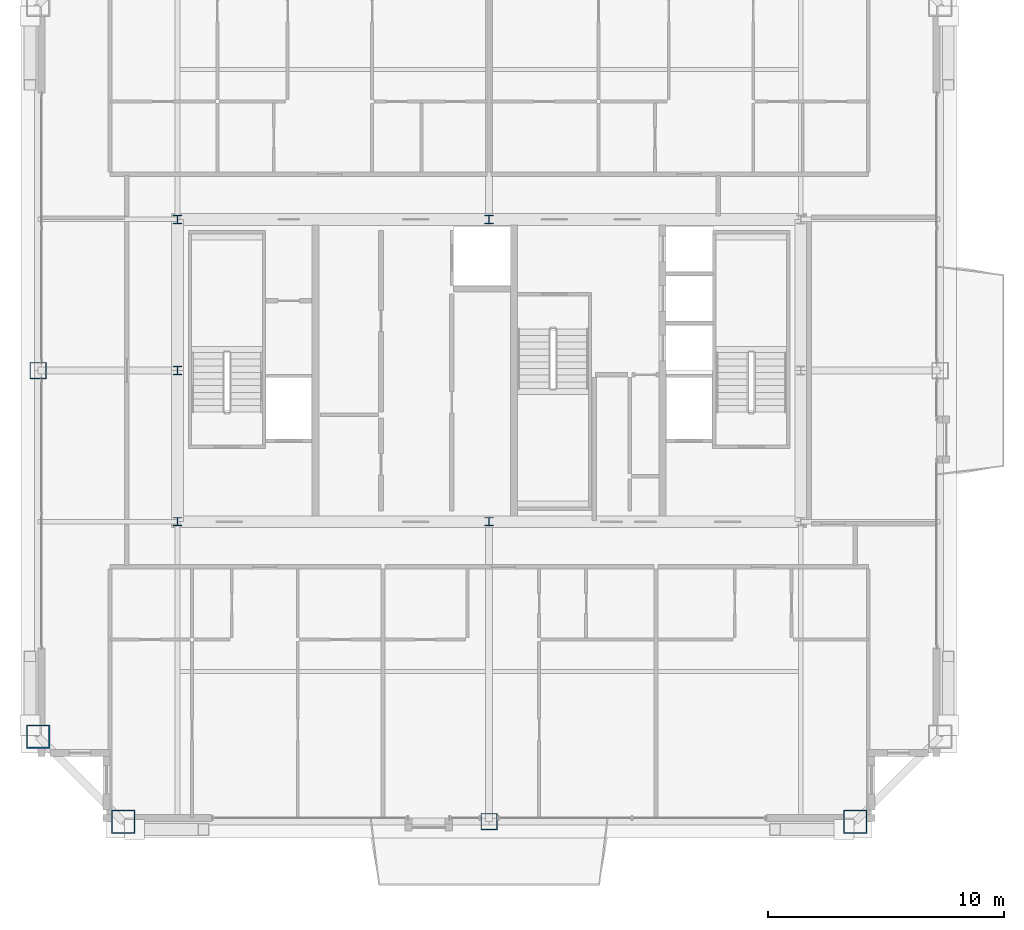
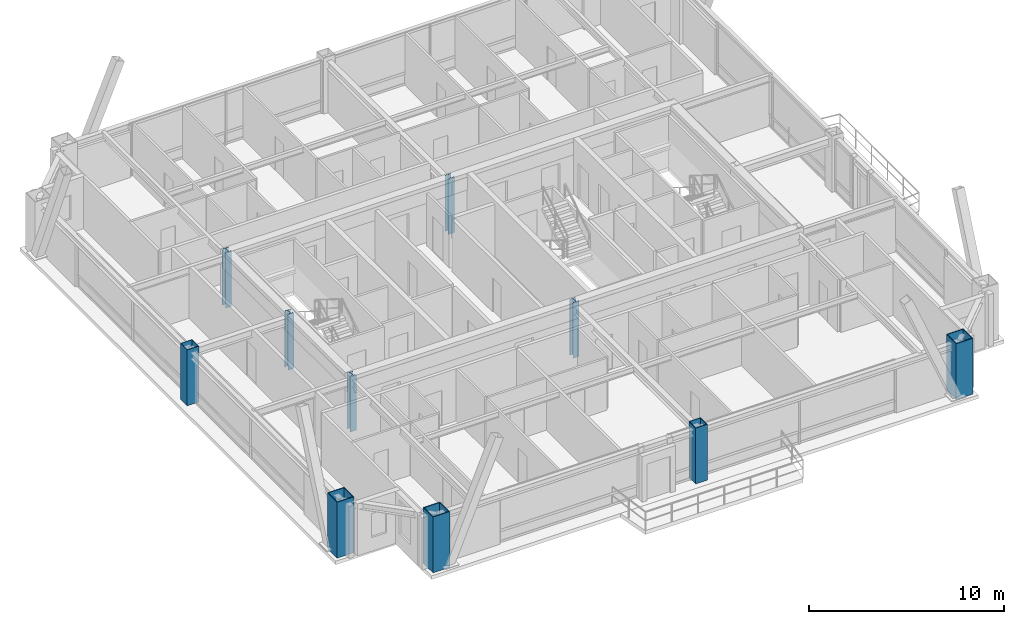
# One storey, part 1 of 35: 10 columns.
"""IFC4 building model written with IfcOpenShell, lengths in metres."""

from ifc_helpers import new_model, si_unit, direction, frame, origin, origin_2d, place, context, subcontext, project, spatial, hollow_rectangle, i_section, extrude, source, transform, mapped, material, material_profile, profile_set, type_object, element, save


model = new_model("IFC4")

# Units and contexts
model_context = context("Model", 3, precision=1e-05, world=origin(), true_north=direction((0.0, 1.0)))
body_context = subcontext(model_context, "Body", "Model", "MODEL_VIEW")
ifc_project = project(units=[si_unit("LENGTHUNIT", "METRE"), si_unit("AREAUNIT", "SQUARE_METRE"), si_unit("VOLUMEUNIT", "CUBIC_METRE"), si_unit("PLANEANGLEUNIT", "RADIAN"), si_unit("MASSUNIT", "GRAM", prefix="KILO"), si_unit("THERMODYNAMICTEMPERATUREUNIT", "KELVIN"), si_unit("POWERUNIT", "WATT")], contexts=[model_context])

# Site, building, storey
site_placement = place(None, origin())
site = spatial("IfcSite", under=ifc_project, at=site_placement, CompositionType="ELEMENT")
building_placement = place(site_placement, origin())
building = spatial("IfcBuilding", under=site, at=building_placement, Name="Yuzanri Waterfront Tower", CompositionType="ELEMENT")
storey_placement = place(building_placement, frame((0.0, 0.0, 335.699951171875)))
storey = spatial("IfcBuildingStorey", under=building, at=storey_placement, Name="L90", CompositionType="ELEMENT", Elevation=335.699951171875)

# Columns
ifc_material_1 = material(Name="Steel Q355B", Category="steel")
ifc_material_profile_1 = material_profile(ifc_material_1, hollow_rectangle(XDim=0.699951171875, YDim=0.699951171875, WallThickness=0.031982421875, at=origin_2d()), Name="RHS 700x700x32")
ifc_profile_set_1 = profile_set([ifc_material_profile_1], Name="Steel Q355B")
column_type_1 = type_object("IfcColumnType", Name="Frame Column Q355B RHS 700x700x32", PredefinedType="COLUMN", material=ifc_profile_set_1)
shared_shape_1 = source(origin(), body_context, "Body", "SweptSolid", [
    extrude(hollow_rectangle(XDim=0.699951171875, YDim=0.699951171875, WallThickness=0.031982421875, at=origin_2d()), origin(), (0.0, 0.0, 1.0), 3.5),
])
for number, where, z_axis, x_axis, name in (
    (1, (37.0, 6.699951171875, 0.0), (0.0, 0.0, 1.0), (1.0, 0.0, 0.0), "L90 Perimeter Frame Column S2"),
    (2, (17.89990234375, 25.800048828125, 0.0), (0.0, 0.0, 1.0), (1.0, 0.0, 0.0), "L90 Perimeter Frame Column W2"),
):
    element("IfcColumn", number, at=place(storey_placement, frame(where, z_axis=z_axis, x_axis=x_axis)), inside=storey, type_object=column_type_1, Name=name, PredefinedType="COLUMN", context=body_context, shape_type="MappedRepresentation", body=[
        mapped(shared_shape_1, transform((0.0, 0.0, 0.0), scale=1.0)),
    ])
ifc_material_2 = material(Name="Steel Q355B", Category="steel")
ifc_material_profile_2 = material_profile(ifc_material_2, i_section(OverallWidth=0.35009765625, OverallDepth=0.35009765625, WebThickness=0.011962890625, FlangeThickness=0.01904296875, at=origin_2d()), Name="HW 350x350x12x19")
ifc_profile_set_2 = profile_set([ifc_material_profile_2], Name="Steel Q355B")
column_type_2 = type_object("IfcColumnType", Name="Core Post Q355B HW 350x350x12x19", PredefinedType="COLUMN", material=ifc_profile_set_2)
shared_shape_2 = source(origin(), body_context, "Body", "SweptSolid", [
    extrude(i_section(OverallWidth=0.35009765625, OverallDepth=0.35009765625, WebThickness=0.011962890625, FlangeThickness=0.01904296875, at=origin_2d()), origin(), (0.0, 0.0, 1.0), 3.5),
])
for number, where, z_axis, x_axis, name in (
    (3, (23.800048828125, 19.39990234375, 0.0), (0.0, 0.0, 1.0), (1.0, 0.0, 0.0), "L90 Core Boundary Column CP1"),
    (4, (37.0, 19.39990234375, 0.0), (0.0, 0.0, 1.0), (1.0, 0.0, 0.0), "L90 Core Boundary Column CP2"),
    (5, (23.800048828125, 25.800048828125, 0.0), (0.0, 0.0, 1.0), (1.0, 0.0, 0.0), "L90 Core Boundary Column CP4"),
    (6, (23.800048828125, 32.199951171875, 0.0), (0.0, 0.0, 1.0), (1.0, 0.0, 0.0), "L90 Core Boundary Column CP6"),
    (7, (37.0, 32.199951171875, 0.0), (0.0, 0.0, 1.0), (1.0, 0.0, 0.0), "L90 Core Boundary Column CP7"),
):
    element("IfcColumn", number, at=place(storey_placement, frame(where, z_axis=z_axis, x_axis=x_axis)), inside=storey, type_object=column_type_2, Name=name, PredefinedType="COLUMN", context=body_context, shape_type="MappedRepresentation", body=[
        mapped(shared_shape_2, transform((0.0, 0.0, 0.0), scale=1.0)),
    ])
ifc_material_3 = material(Name="Steel Q390GJC", Category="steel")
ifc_material_profile_3 = material_profile(ifc_material_3, hollow_rectangle(XDim=1.0, YDim=1.0, WallThickness=0.048095703125, at=origin_2d()), Name="RHS 1000x1000x48")
ifc_profile_set_3 = profile_set([ifc_material_profile_3], Name="Steel Q390GJC")
column_type_3 = type_object("IfcColumnType", Name="Mega Column Q390GJC RHS 1000x1000x48", PredefinedType="COLUMN", material=ifc_profile_set_3)
shared_shape_3 = source(origin(), body_context, "Body", "SweptSolid", [
    extrude(hollow_rectangle(XDim=1.0, YDim=1.0, WallThickness=0.048095703125, at=origin_2d()), origin(), (0.0, 0.0, 1.0), 3.5),
])
for number, where, z_axis, x_axis, name in (
    (8, (21.5, 6.699951171875, 0.0), (0.0, 0.0, 1.0), (1.0, 0.0, 0.0), "L90 Perimeter Mega Column S1"),
    (9, (52.5, 6.699951171875, 0.0), (0.0, 0.0, 1.0), (1.0, 0.0, 0.0), "L90 Perimeter Mega Column S3"),
    (10, (17.89990234375, 10.300048828125, 0.0), (0.0, 0.0, 1.0), (1.0, 0.0, 0.0), "L90 Perimeter Mega Column W1"),
):
    element("IfcColumn", number, at=place(storey_placement, frame(where, z_axis=z_axis, x_axis=x_axis)), inside=storey, type_object=column_type_3, Name=name, PredefinedType="COLUMN", context=body_context, shape_type="MappedRepresentation", body=[
        mapped(shared_shape_3, transform((0.0, 0.0, 0.0), scale=1.0)),
    ])

save(model, "model.ifc")
